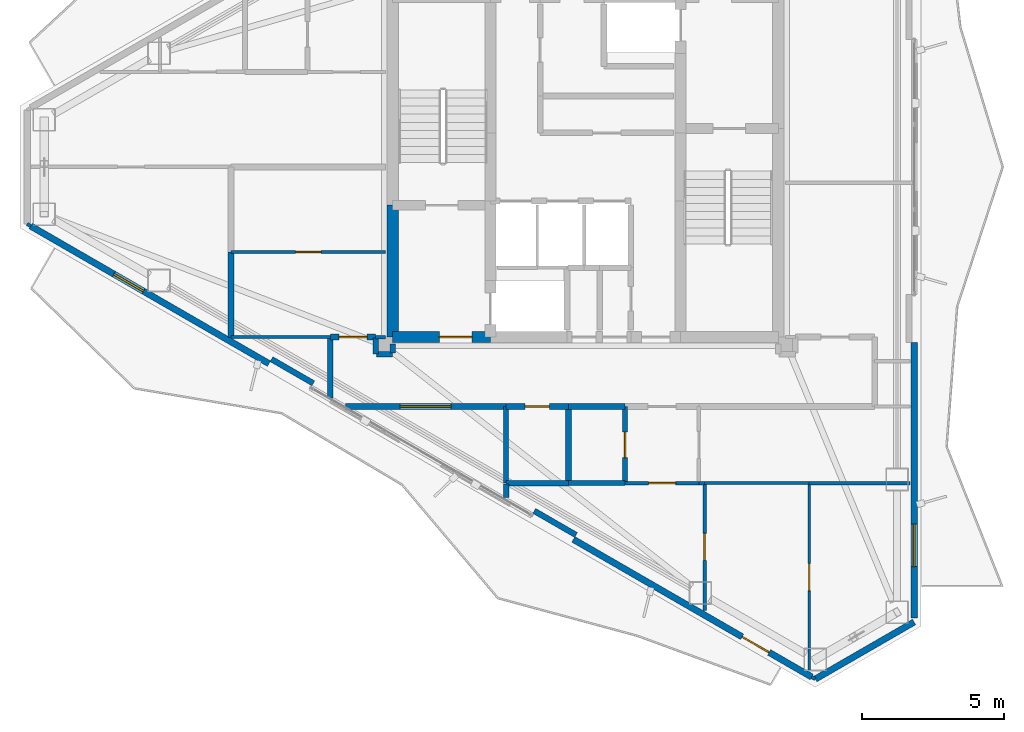
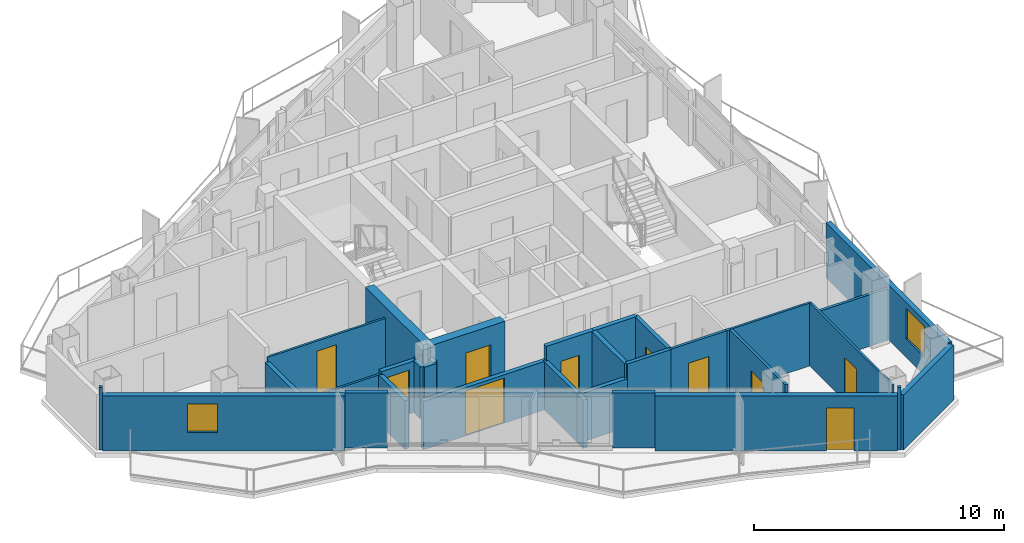
# One storey, part 16 of 22: 34 walls, 10 doors, 2 windows, 12 openings.
"""IFC4 building model written with IfcOpenShell, lengths in metres."""

from ifc_helpers import new_model, si_unit, direction, frame, frame_2d, origin, place, context, subcontext, project, spatial, rectangle, extrude, material, layer, layer_set, type_object, element, fill, save


model = new_model("IFC4")

# Units and contexts
model_context = context("Model", 3, precision=1e-05, world=origin(), true_north=direction((0.0, 1.0)))
body_context = subcontext(model_context, "Body", "Model", "MODEL_VIEW")
ifc_project = project(units=[si_unit("LENGTHUNIT", "METRE"), si_unit("AREAUNIT", "SQUARE_METRE"), si_unit("VOLUMEUNIT", "CUBIC_METRE"), si_unit("PLANEANGLEUNIT", "RADIAN"), si_unit("MASSUNIT", "GRAM", prefix="KILO")], contexts=[model_context])

# Site, building, storey
site_placement = place(None, origin())
site = spatial("IfcSite", under=ifc_project, at=site_placement, CompositionType="ELEMENT")
building_placement = place(site_placement, origin())
building = spatial("IfcBuilding", under=site, at=building_placement, Name="Mersakhor Tower and Convention Hall", CompositionType="ELEMENT")
storey_placement = place(building_placement, frame((0.0, 0.0, 201.89990234375)))
storey = spatial("IfcBuildingStorey", under=building, at=storey_placement, Name="L56", CompositionType="ELEMENT", Elevation=201.89990234375)

# Wall
ifc_material_1 = material(Name="Precast concrete C40/50", Category="concrete")
ifc_layer_1 = layer(ifc_material_1, 0.22509765625)
ifc_layer_set_1 = layer_set([ifc_layer_1], Name="Precast concrete C40/50")
wall_type_1 = type_object("IfcWallType", Name="WL-EXT-225", PredefinedType="SOLIDWALL", material=ifc_layer_set_1)
wall_1_placement = place(storey_placement, frame((40.58837890625, 10.70166015625, 0.0), z_axis=(0.0, 0.0, 1.0), x_axis=(-0.866023907196, -0.500002592159, 0.0)))
element("IfcWall", 1, at=wall_1_placement, inside=storey, type_object=wall_type_1, Name="L56 Chamfer Braced Spandrel Wall C2", PredefinedType="SOLIDWALL", context=body_context, shape_type="SweptSolid", body=[
    extrude(rectangle(XDim=4.0234375, YDim=0.22509765625, at=frame_2d((2.01171875, 0.0))), origin(), (0.0, 0.0, 1.0), 2.690185546875),
])

# Wall, opening, window
wall_2_placement = place(storey_placement, frame((40.58837890625, 20.550537109375, 0.0), z_axis=(0.0, 0.0, 1.0), x_axis=(0.0, -1.0, 0.0)))
wall_2 = element("IfcWall", 2, at=wall_2_placement, inside=storey, type_object=wall_type_1, Name="L56 Exterior Facade Wall F2-B3", PredefinedType="SOLIDWALL", context=body_context, shape_type="SweptSolid", body=[
    extrude(rectangle(XDim=9.698974609375, YDim=0.22509765625, at=frame_2d((4.849609375, 0.0))), origin(), (0.0, 0.0, 1.0), 2.690185546875),
])
opening_1_placement = place(wall_2_placement, frame((6.39501953125, 0.0, 0.89990234375)))
opening_1 = element("IfcOpeningElement", 3, at=opening_1_placement, cuts=wall_2, Name="Opening W-02", PredefinedType="OPENING", context=body_context, shape_type="SweptSolid", body=[
    extrude(rectangle(XDim=1.5, YDim=1.5, at=frame_2d((0.75, 0.75))), frame((0.0, 0.12255859375, 0.0), z_axis=(0.0, -1.0, 0.0), x_axis=(1.0, 0.0, 0.0)), (0.0, 0.0, 1.0), 0.2451171875),
])
ifc_material_2 = material(Name="Dark solar low-E glazed aluminium window", Category="aluminium")
window_type_1 = type_object("IfcWindowType", Name="WN-RES-150x150", PartitioningType="SINGLE_PANEL", PredefinedType="WINDOW", material=ifc_material_2)
window_1_placement = place(opening_1_placement, origin())
window_1 = element("IfcWindow", 4, at=window_1_placement, inside=storey, type_object=window_type_1, Name="L56 Facade Punched Window F2-B3", OverallHeight=1.5, OverallWidth=1.5, PartitioningType="SINGLE_PANEL", PredefinedType="WINDOW", context=body_context, shape_type="SweptSolid", body=[
    extrude(rectangle(XDim=1.5, YDim=1.5, at=frame_2d((0.75, 0.75))), frame((0.0, 0.030029296875, 0.0), z_axis=(0.0, -1.0, 0.0), x_axis=(1.0, 0.0, 0.0)), (0.0, 0.0, 1.0), 0.06005859375),
])
fill(opening_1, window_1)

# Wall, opening, door
wall_3_placement = place(storey_placement, frame((36.97412109375, 8.764892578125, 0.0), z_axis=(0.0, 0.0, 1.0), x_axis=(-0.866016233231, 0.500015883528, 0.0)))
wall_3 = element("IfcWall", 5, at=wall_3_placement, inside=storey, type_object=wall_type_1, Name="L56 Exterior Facade Wall F3-B1", PredefinedType="SOLIDWALL", context=body_context, shape_type="SweptSolid", body=[
    extrude(rectangle(XDim=9.698974609375, YDim=0.22509765625, at=frame_2d((4.849609375, 0.0))), origin(), (0.0, 0.0, 1.0), 2.690185546875),
])
opening_2_placement = place(wall_3_placement, frame((1.72998046875, 0.0, 0.0)))
opening_2 = element("IfcOpeningElement", 6, at=opening_2_placement, cuts=wall_3, Name="Opening BD-02", PredefinedType="OPENING", context=body_context, shape_type="SweptSolid", body=[
    extrude(rectangle(XDim=1.10009765625, YDim=2.10009765625, at=frame_2d((0.550048828125, 1.050048828125))), frame((0.0, 0.12255859375, 0.0), z_axis=(0.0, -1.0, 0.0), x_axis=(1.0, 0.0, 0.0)), (0.0, 0.0, 1.0), 0.2451171875),
])
ifc_material_3 = material(Name="Thermally broken dark aluminium and safety glass", Category="aluminium")
door_type_1 = type_object("IfcDoorType", Name="DR-BAL-110x210", OperationType="NOTDEFINED", PredefinedType="DOOR", material=ifc_material_3)
door_1_placement = place(opening_2_placement, origin())
door_1 = element("IfcDoor", 7, at=door_1_placement, inside=storey, type_object=door_type_1, Name="L56 Balcony Terrace Door F3-B1", OperationType="SINGLE_SWING_RIGHT", OverallHeight=2.10009765625, OverallWidth=1.10009765625, PredefinedType="DOOR", context=body_context, shape_type="SweptSolid", body=[
    extrude(rectangle(XDim=1.10009765625, YDim=2.10009765625, at=frame_2d((0.550048828125, 1.050048828125))), frame((0.0, 0.02490234375, 0.0), z_axis=(0.0, -1.0, 0.0), x_axis=(1.0, 0.0, 0.0)), (0.0, 0.0, 1.0), 0.050048828125),
])
fill(opening_2, door_1)

# Wall, opening, window
wall_4_placement = place(storey_placement, frame((17.8369140625, 19.81396484375, 0.0), z_axis=(0.0, 0.0, 1.0), x_axis=(-0.866027133173, 0.499997004599, 0.0)))
wall_4 = element("IfcWall", 8, at=wall_4_placement, inside=storey, type_object=wall_type_1, Name="L56 Exterior Facade Wall F3-B3", PredefinedType="SOLIDWALL", context=body_context, shape_type="SweptSolid", body=[
    extrude(rectangle(XDim=9.69873046875, YDim=0.22509765625, at=frame_2d((4.849365234375, 0.0))), origin(), (0.0, 0.0, 1.0), 2.690185546875),
])
opening_3_placement = place(wall_4_placement, frame((5.10791015625, 0.0, 0.89990234375)))
opening_3 = element("IfcOpeningElement", 9, at=opening_3_placement, cuts=wall_4, Name="Opening W-01", PredefinedType="OPENING", context=body_context, shape_type="SweptSolid", body=[
    extrude(rectangle(XDim=1.199951171875, YDim=1.39990234375, at=frame_2d((0.60009765625, 0.699951171875))), frame((0.0, 0.12255859375, 0.0), z_axis=(0.0, -1.0, 0.0), x_axis=(1.0, 0.0, 0.0)), (0.0, 0.0, 1.0), 0.2451171875),
])
ifc_material_4 = material(Name="Dark solar low-E glazed aluminium window", Category="aluminium")
window_type_2 = type_object("IfcWindowType", Name="WN-RES-120x150", PartitioningType="SINGLE_PANEL", PredefinedType="WINDOW", material=ifc_material_4)
window_2_placement = place(opening_3_placement, origin())
window_2 = element("IfcWindow", 10, at=window_2_placement, inside=storey, type_object=window_type_2, Name="L56 Bedroom Facade Window F3-B3-1", OverallHeight=1.39990234375, OverallWidth=1.199951171875, PartitioningType="SINGLE_PANEL", PredefinedType="WINDOW", context=body_context, shape_type="SweptSolid", body=[
    extrude(rectangle(XDim=1.199951171875, YDim=1.39990234375, at=frame_2d((0.60009765625, 0.699951171875))), frame((0.0, 0.030029296875, 0.0), z_axis=(0.0, -1.0, 0.0), x_axis=(1.0, 0.0, 0.0)), (0.0, 0.0, 1.0), 0.06005859375),
])
fill(opening_3, window_2)

# Walls
ifc_material_5 = material(Name="Precast concrete C40/50", Category="concrete")
ifc_layer_2 = layer(ifc_material_5, 0.199951171875)
ifc_layer_set_2 = layer_set([ifc_layer_2], Name="Precast concrete C40/50")
wall_type_2 = type_object("IfcWallType", Name="WL-PAR-200", PredefinedType="PARAPET", material=ifc_layer_set_2)
wall_5_placement = place(storey_placement, frame((28.664794921875, 13.770263671875, 0.0), z_axis=(0.0, 0.0, 1.0), x_axis=(-0.866025371046, 0.500000056704, 0.0)))
element("IfcWall", 11, at=wall_5_placement, inside=storey, type_object=wall_type_2, Name="L56 Column Pier Cladding Wall F3-C1", PredefinedType="PARAPET", context=body_context, shape_type="SweptSolid", body=[
    extrude(rectangle(XDim=1.7001953125, YDim=0.199951171875, at=frame_2d((0.85009765625, 0.0))), origin(), (0.0, 0.0, 1.0), 2.690185546875),
])
wall_6_placement = place(storey_placement, frame((19.399169921875, 19.119873046875, 0.0), z_axis=(0.0, 0.0, 1.0), x_axis=(-0.86605165483, 0.499954529098, 0.0)))
element("IfcWall", 12, at=wall_6_placement, inside=storey, type_object=wall_type_2, Name="L56 Column Pier Cladding Wall F3-C2", PredefinedType="PARAPET", context=body_context, shape_type="SweptSolid", body=[
    extrude(rectangle(XDim=1.699951171875, YDim=0.199951171875, at=frame_2d((0.85009765625, 0.0))), origin(), (0.0, 0.0, 1.0), 2.690185546875),
])

# Wall, opening, door
ifc_material_6 = material(Name="Moisture-resistant acoustic drywall studwork", Category="other")
ifc_layer_3 = layer(ifc_material_6, 0.175048828125)
ifc_layer_set_3 = layer_set([ifc_layer_3], Name="Moisture-resistant acoustic drywall studwork")
wall_type_3 = type_object("IfcWallType", Name="WL-PLM-175", PredefinedType="PLUMBINGWALL", material=ifc_layer_set_3)
wall_7_placement = place(storey_placement, frame((30.39990234375, 15.60009765625, 0.0), z_axis=(0.0, 0.0, 1.0), x_axis=(0.0, 1.0, 0.0)))
wall_7 = element("IfcWall", 13, at=wall_7_placement, inside=storey, type_object=wall_type_3, Name="L56 Interior Partition Wall P-054", PredefinedType="PLUMBINGWALL", context=body_context, shape_type="SweptSolid", body=[
    extrude(rectangle(XDim=2.699951171875, YDim=0.175048828125, at=frame_2d((1.35009765625, 0.0))), origin(), (0.0, 0.0, 1.0), 3.070068359375),
])
opening_4_placement = place(wall_7_placement, frame((0.89990234375, 0.0, 0.0)))
opening_4 = element("IfcOpeningElement", 14, at=opening_4_placement, cuts=wall_7, Name="Opening WD-01", PredefinedType="OPENING", context=body_context, shape_type="SweptSolid", body=[
    extrude(rectangle(XDim=0.89990234375, YDim=2.10009765625, at=frame_2d((0.449951171875, 1.050048828125))), frame((0.0, 0.097412109375, 0.0), z_axis=(0.0, -1.0, 0.0), x_axis=(1.0, 0.0, 0.0)), (0.0, 0.0, 1.0), 0.195068359375),
])
ifc_material_7 = material(Name="Solid-core hardwood leaf in painted steel frame", Category="steel")
door_type_2 = type_object("IfcDoorType", Name="DR-INT-WET-090x210", OperationType="NOTDEFINED", PredefinedType="DOOR", material=ifc_material_7)
door_2_placement = place(opening_4_placement, origin())
door_2 = element("IfcDoor", 15, at=door_2_placement, inside=storey, type_object=door_type_2, Name="L56 L56 Flat S3 Apartment Hall to L56 Flat S3 Bathroom Door", OperationType="SINGLE_SWING_LEFT", OverallHeight=2.10009765625, OverallWidth=0.89990234375, PredefinedType="DOOR", context=body_context, shape_type="SweptSolid", body=[
    extrude(rectangle(XDim=0.89990234375, YDim=2.10009765625, at=frame_2d((0.449951171875, 1.050048828125))), frame((0.0, 0.02490234375, 0.0), z_axis=(0.0, -1.0, 0.0), x_axis=(1.0, 0.0, 0.0)), (0.0, 0.0, 1.0), 0.050048828125),
])
fill(opening_4, door_2)

# Walls
wall_8_placement = place(storey_placement, frame((26.199951171875, 15.60009765625, 0.0), z_axis=(0.0, 0.0, 1.0), x_axis=(0.0, 1.0, 0.0)))
element("IfcWall", 16, at=wall_8_placement, inside=storey, type_object=wall_type_3, Name="L56 Interior Partition Wall P-061", PredefinedType="PLUMBINGWALL", context=body_context, shape_type="SweptSolid", body=[
    extrude(rectangle(XDim=2.699951171875, YDim=0.175048828125, at=frame_2d((1.35009765625, 0.0))), origin(), (0.0, 0.0, 1.0), 2.364990234375),
])
wall_9_placement = place(storey_placement, frame((30.39990234375, 15.60009765625, 0.0), z_axis=(0.0, 0.0, 1.0), x_axis=(-1.0, 0.0, 0.0)))
element("IfcWall", 17, at=wall_9_placement, inside=storey, type_object=wall_type_3, Name="L56 Interior Partition Wall P-071", PredefinedType="PLUMBINGWALL", context=body_context, shape_type="SweptSolid", body=[
    extrude(rectangle(XDim=2.0, YDim=0.175048828125, at=frame_2d((1.0, 0.0))), origin(), (0.0, 0.0, 1.0), 3.070068359375),
])
ifc_material_8 = material(Name="Lightweight gypsum partition", Category="other")
ifc_layer_4 = layer(ifc_material_8, 0.10009765625)
ifc_layer_set_4 = layer_set([ifc_layer_4], Name="Lightweight gypsum partition")
wall_type_4 = type_object("IfcWallType", Name="WL-PRT-100", PredefinedType="PARTITIONING", material=ifc_layer_set_4)
wall_10_placement = place(storey_placement, frame((36.889892578125, 15.60009765625, 0.0), z_axis=(0.0, 0.0, 1.0), x_axis=(-1.0, 0.0, 0.0)))
element("IfcWall", 18, at=wall_10_placement, inside=storey, type_object=wall_type_4, Name="L56 Interior Partition Wall P-074", PredefinedType="PARTITIONING", context=body_context, shape_type="SweptSolid", body=[
    extrude(rectangle(XDim=3.68994140625, YDim=0.10009765625, at=frame_2d((1.844970703125, 0.0))), origin(), (0.0, 0.0, 1.0), 3.070068359375),
])
wall_11_placement = place(storey_placement, frame((20.0, 20.75, 0.0), z_axis=(0.0, 0.0, 1.0), x_axis=(-1.0, 0.0, 0.0)))
element("IfcWall", 19, at=wall_11_placement, inside=storey, type_object=wall_type_4, Name="L56 Interior Partition Wall P-086", PredefinedType="PARTITIONING", context=body_context, shape_type="SweptSolid", body=[
    extrude(rectangle(XDim=3.5, YDim=0.10009765625, at=frame_2d((1.75, 0.0))), origin(), (0.0, 0.0, 1.0), 2.364990234375),
])

# Wall, opening, door
wall_12_placement = place(storey_placement, frame((16.5, 23.75, 0.0), z_axis=(0.0, 0.0, 1.0), x_axis=(1.0, 0.0, 0.0)))
wall_12 = element("IfcWall", 20, at=wall_12_placement, inside=storey, type_object=wall_type_4, Name="L56 Interior Partition Wall P-088", PredefinedType="PARTITIONING", context=body_context, shape_type="SweptSolid", body=[
    extrude(rectangle(XDim=5.449951171875, YDim=0.10009765625, at=frame_2d((2.72509765625, 0.0))), origin(), (0.0, 0.0, 1.0), 2.59521484375),
])
opening_5_placement = place(wall_12_placement, frame((2.27490234375, 0.0, 0.0)))
opening_5 = element("IfcOpeningElement", 21, at=opening_5_placement, cuts=wall_12, Name="Opening WD-01", PredefinedType="OPENING", context=body_context, shape_type="SweptSolid", body=[
    extrude(rectangle(XDim=0.89990234375, YDim=2.10009765625, at=frame_2d((0.449951171875, 1.050048828125))), frame((0.0, 0.06005859375, 0.0), z_axis=(0.0, -1.0, 0.0), x_axis=(1.0, 0.0, 0.0)), (0.0, 0.0, 1.0), 0.1201171875),
])
door_3_placement = place(opening_5_placement, origin())
door_3 = element("IfcDoor", 22, at=door_3_placement, inside=storey, type_object=door_type_2, Name="L56 L56 West Wing Quiet Study Room to L56 West Wing Quiet Study Room Annex Door", OperationType="SINGLE_SWING_LEFT", OverallHeight=2.10009765625, OverallWidth=0.89990234375, PredefinedType="DOOR", context=body_context, shape_type="SweptSolid", body=[
    extrude(rectangle(XDim=0.89990234375, YDim=2.10009765625, at=frame_2d((0.449951171875, 1.050048828125))), frame((0.0, 0.02490234375, 0.0), z_axis=(0.0, -1.0, 0.0), x_axis=(1.0, 0.0, 0.0)), (0.0, 0.0, 1.0), 0.050048828125),
])
fill(opening_5, door_3)

wall_13_placement = place(storey_placement, frame((36.889892578125, 15.60009765625, 0.0), z_axis=(0.0, 0.0, 1.0), x_axis=(0.0, -1.0, 0.0)))
wall_13 = element("IfcWall", 23, at=wall_13_placement, inside=storey, type_object=wall_type_4, Name="L56 Interior Partition Wall P-102", PredefinedType="PARTITIONING", context=body_context, shape_type="SweptSolid", body=[
    extrude(rectangle(XDim=6.62890625, YDim=0.10009765625, at=frame_2d((3.314453125, 0.0))), origin(), (0.0, 0.0, 1.0), 3.070068359375),
])
opening_6_placement = place(wall_13_placement, frame((2.83935546875, 0.0, 0.0)))
opening_6 = element("IfcOpeningElement", 24, at=opening_6_placement, cuts=wall_13, Name="Opening RD-01", PredefinedType="OPENING", context=body_context, shape_type="SweptSolid", body=[
    extrude(rectangle(XDim=0.949951171875, YDim=2.10009765625, at=frame_2d((0.47509765625, 1.050048828125))), frame((0.0, 0.06005859375, 0.0), z_axis=(0.0, -1.0, 0.0), x_axis=(1.0, 0.0, 0.0)), (0.0, 0.0, 1.0), 0.1201171875),
])
ifc_material_9 = material(Name="Solid-core hardwood leaf in painted steel frame", Category="steel")
door_type_3 = type_object("IfcDoorType", Name="DR-INT-RM-095x210", OperationType="NOTDEFINED", PredefinedType="DOOR", material=ifc_material_9)
door_4_placement = place(opening_6_placement, origin())
door_4 = element("IfcDoor", 25, at=door_4_placement, inside=storey, type_object=door_type_3, Name="L56 L56 Flat S3 Bedroom 1 to L56 Flat S3 Study Room Door", OperationType="SINGLE_SWING_LEFT", OverallHeight=2.10009765625, OverallWidth=0.949951171875, PredefinedType="DOOR", context=body_context, shape_type="SweptSolid", body=[
    extrude(rectangle(XDim=0.949951171875, YDim=2.10009765625, at=frame_2d((0.47509765625, 1.050048828125))), frame((0.0, 0.02490234375, 0.0), z_axis=(0.0, -1.0, 0.0), x_axis=(1.0, 0.0, 0.0)), (0.0, 0.0, 1.0), 0.050048828125),
])
fill(opening_6, door_4)

ifc_material_10 = material(Name="Gypsum board acoustic partition", Category="other")
ifc_layer_5 = layer(ifc_material_10, 0.125)
ifc_layer_set_5 = layer_set([ifc_layer_5], Name="Gypsum board acoustic partition")
wall_type_5 = type_object("IfcWallType", Name="WL-PRT-125", PredefinedType="PARTITIONING", material=ifc_layer_set_5)
wall_14_placement = place(storey_placement, frame((33.0, 15.60009765625, 0.0), z_axis=(0.0, 0.0, 1.0), x_axis=(-1.0, 0.0, 0.0)))
wall_14 = element("IfcWall", 26, at=wall_14_placement, inside=storey, type_object=wall_type_5, Name="L56 Interior Partition Wall P-053", PredefinedType="PARTITIONING", context=body_context, shape_type="SweptSolid", body=[
    extrude(rectangle(XDim=2.60009765625, YDim=0.125, at=frame_2d((1.300048828125, 0.0))), origin(), (0.0, 0.0, 1.0), 3.070068359375),
])
opening_7_placement = place(wall_14_placement, frame((0.824951171875, 0.0, 0.0)))
opening_7 = element("IfcOpeningElement", 27, at=opening_7_placement, cuts=wall_14, Name="Opening RD-01", PredefinedType="OPENING", context=body_context, shape_type="SweptSolid", body=[
    extrude(rectangle(XDim=0.949951171875, YDim=2.10009765625, at=frame_2d((0.47509765625, 1.050048828125))), frame((0.0, 0.072509765625, 0.0), z_axis=(0.0, -1.0, 0.0), x_axis=(1.0, 0.0, 0.0)), (0.0, 0.0, 1.0), 0.14501953125),
])
door_5_placement = place(opening_7_placement, origin())
door_5 = element("IfcDoor", 28, at=door_5_placement, inside=storey, type_object=door_type_3, Name="L56 L56 Flat S3 Apartment Hall to L56 Flat S3 Living and Dining Room Door", OperationType="SINGLE_SWING_LEFT", OverallHeight=2.10009765625, OverallWidth=0.949951171875, PredefinedType="DOOR", context=body_context, shape_type="SweptSolid", body=[
    extrude(rectangle(XDim=0.949951171875, YDim=2.10009765625, at=frame_2d((0.47509765625, 1.050048828125))), frame((0.0, 0.02490234375, 0.0), z_axis=(0.0, -1.0, 0.0), x_axis=(1.0, 0.0, 0.0)), (0.0, 0.0, 1.0), 0.050048828125),
])
fill(opening_7, door_5)

# Walls
wall_15_placement = place(storey_placement, frame((40.451904296875, 15.60009765625, 0.0), z_axis=(0.0, 0.0, 1.0), x_axis=(-1.0, 0.0, 0.0)))
element("IfcWall", 29, at=wall_15_placement, inside=storey, type_object=wall_type_5, Name="L56 Interior Partition Wall P-073", PredefinedType="PARTITIONING", context=body_context, shape_type="SweptSolid", body=[
    extrude(rectangle(XDim=3.56201171875, YDim=0.125, at=frame_2d((1.781005859375, 0.0))), origin(), (0.0, 0.0, 1.0), 2.518310546875),
])
wall_16_placement = place(storey_placement, frame((33.199951171875, 15.60009765625, 0.0), z_axis=(0.0, 0.0, 1.0), x_axis=(-1.0, 0.0, 0.0)))
element("IfcWall", 30, at=wall_16_placement, inside=storey, type_object=wall_type_5, Name="L56 Interior Partition Wall P-075", PredefinedType="PARTITIONING", context=body_context, shape_type="SweptSolid", body=[
    extrude(rectangle(XDim=0.199951171875, YDim=0.125, at=frame_2d((0.10009765625, 0.0))), origin(), (0.0, 0.0, 1.0), 3.070068359375),
])
wall_17_placement = place(storey_placement, frame((21.949951171875, 20.75, 0.0), z_axis=(0.0, 0.0, 1.0), x_axis=(-1.0, 0.0, 0.0)))
element("IfcWall", 31, at=wall_17_placement, inside=storey, type_object=wall_type_5, Name="L56 Interior Partition Wall P-085", PredefinedType="PARTITIONING", context=body_context, shape_type="SweptSolid", body=[
    extrude(rectangle(XDim=0.349853515625, YDim=0.125, at=frame_2d((0.1748046875, 0.0))), origin(), (0.0, 0.0, 1.0), 2.59521484375),
])

# Wall, opening, door
wall_18_placement = place(storey_placement, frame((33.199951171875, 15.60009765625, 0.0), z_axis=(0.0, 0.0, 1.0), x_axis=(0.0, -1.0, 0.0)))
wall_18 = element("IfcWall", 32, at=wall_18_placement, inside=storey, type_object=wall_type_5, Name="L56 Interior Partition Wall P-101", PredefinedType="PARTITIONING", context=body_context, shape_type="SweptSolid", body=[
    extrude(rectangle(XDim=4.49853515625, YDim=0.125, at=frame_2d((2.249267578125, 0.0))), origin(), (0.0, 0.0, 1.0), 3.070068359375),
])
opening_8_placement = place(wall_18_placement, frame((1.774169921875, 0.0, 0.0)))
opening_8 = element("IfcOpeningElement", 33, at=opening_8_placement, cuts=wall_18, Name="Opening RD-01", PredefinedType="OPENING", context=body_context, shape_type="SweptSolid", body=[
    extrude(rectangle(XDim=0.949951171875, YDim=2.10009765625, at=frame_2d((0.47509765625, 1.050048828125))), frame((0.0, 0.072509765625, 0.0), z_axis=(0.0, -1.0, 0.0), x_axis=(1.0, 0.0, 0.0)), (0.0, 0.0, 1.0), 0.14501953125),
])
door_6_placement = place(opening_8_placement, origin())
door_6 = element("IfcDoor", 34, at=door_6_placement, inside=storey, type_object=door_type_3, Name="L56 L56 Flat S3 Living and Dining Room to L56 Flat S3 Bedroom 1 Door", OperationType="SINGLE_SWING_RIGHT", OverallHeight=2.10009765625, OverallWidth=0.949951171875, PredefinedType="DOOR", context=body_context, shape_type="SweptSolid", body=[
    extrude(rectangle(XDim=0.949951171875, YDim=2.10009765625, at=frame_2d((0.47509765625, 1.050048828125))), frame((0.0, 0.02490234375, 0.0), z_axis=(0.0, -1.0, 0.0), x_axis=(1.0, 0.0, 0.0)), (0.0, 0.0, 1.0), 0.050048828125),
])
fill(opening_8, door_6)

# Walls
wall_19_placement = place(storey_placement, frame((37.10400390625, 8.68994140625, 0.0), z_axis=(0.0, 0.0, 1.0), x_axis=(-0.865017048845, 0.50174246901, 0.0)))
element("IfcWall", 35, at=wall_19_placement, inside=storey, type_object=wall_type_5, Name="L56 Interior Partition Wall P-103", PredefinedType="PARTITIONING", context=body_context, shape_type="SweptSolid", body=[
    extrude(rectangle(XDim=0.14990234375, YDim=0.125, at=frame_2d((0.074951171875, 0.0))), origin(), (0.0, 0.0, 1.0), 3.070068359375),
])
wall_20_placement = place(storey_placement, frame((9.43701171875, 24.662841796875, 0.0), z_axis=(0.0, 0.0, 1.0), x_axis=(-0.865833797362, 0.500331725305, 0.0)))
element("IfcWall", 36, at=wall_20_placement, inside=storey, type_object=wall_type_5, Name="L56 Interior Partition Wall P-107", PredefinedType="PARTITIONING", context=body_context, shape_type="SweptSolid", body=[
    extrude(rectangle(XDim=0.150390625, YDim=0.125, at=frame_2d((0.0751953125, 0.0))), origin(), (0.0, 0.0, 1.0), 3.070068359375),
])

# Wall, opening, door
ifc_material_11 = material(Name="Acoustic concrete blockwork and gypsum board", Category="masonry")
ifc_layer_6 = layer(ifc_material_11, 0.199951171875)
ifc_layer_set_6 = layer_set([ifc_layer_6], Name="Acoustic concrete blockwork and gypsum board")
wall_type_6 = type_object("IfcWallType", Name="WL-PRT-200", PredefinedType="PARTITIONING", material=ifc_layer_set_6)
wall_21_placement = place(storey_placement, frame((20.0, 20.75, 0.0), z_axis=(0.0, 0.0, 1.0), x_axis=(1.0, 0.0, 0.0)))
wall_21 = element("IfcWall", 37, at=wall_21_placement, inside=storey, type_object=wall_type_6, Name="L56 Interior Partition Wall P-034", PredefinedType="PARTITIONING", context=body_context, shape_type="SweptSolid", body=[
    extrude(rectangle(XDim=1.60009765625, YDim=0.199951171875, at=frame_2d((0.800048828125, 0.0))), origin(), (0.0, 0.0, 1.0), 2.518310546875),
])
opening_9_placement = place(wall_21_placement, frame((0.300048828125, 0.0, 0.0)))
opening_9 = element("IfcOpeningElement", 38, at=opening_9_placement, cuts=wall_21, Name="Opening FD-01", PredefinedType="OPENING", context=body_context, shape_type="SweptSolid", body=[
    extrude(rectangle(XDim=1.0, YDim=2.14990234375, at=frame_2d((0.5, 1.074951171875))), frame((0.0, 0.10986328125, 0.0), z_axis=(0.0, -1.0, 0.0), x_axis=(1.0, 0.0, 0.0)), (0.0, 0.0, 1.0), 0.219970703125),
])
ifc_material_12 = material(Name="Fire-rated hardwood leaf and painted steel frame", Category="steel")
door_type_4 = type_object("IfcDoorType", Name="DR-INT-FLT-100x215", OperationType="NOTDEFINED", PredefinedType="DOOR", material=ifc_material_12)
door_7_placement = place(opening_9_placement, origin())
door_7 = element("IfcDoor", 39, at=door_7_placement, inside=storey, type_object=door_type_4, Name="L56 Residential South Gallery Corridor to L56 West Wing Quiet Study Room Door", OperationType="SINGLE_SWING_RIGHT", OverallHeight=2.14990234375, OverallWidth=1.0, PredefinedType="DOOR", context=body_context, shape_type="SweptSolid", body=[
    extrude(rectangle(XDim=1.0, YDim=2.14990234375, at=frame_2d((0.5, 1.074951171875))), frame((0.0, 0.02490234375, 0.0), z_axis=(0.0, -1.0, 0.0), x_axis=(1.0, 0.0, 0.0)), (0.0, 0.0, 1.0), 0.050048828125),
])
fill(opening_9, door_7)

# Walls
for number, where, z_axis, x_axis, name in (
    (40, (21.60009765625, 20.719970703125, 0.0), (0.0, 0.0, 1.0), (0.0, -1.0, 0.0), "L56 Interior Partition Wall P-035"),
    (41, (21.6298828125, 20.14990234375, 0.0), (0.0, 0.0, 1.0), (1.0, 0.0, 0.0), "L56 Interior Partition Wall P-036"),
):
    element("IfcWall", number, at=place(storey_placement, frame(where, z_axis=z_axis, x_axis=x_axis)), inside=storey, type_object=wall_type_6, Name=name, PredefinedType="PARTITIONING", context=body_context, shape_type="SweptSolid", body=[
        extrude(rectangle(XDim=0.570068359375, YDim=0.199951171875, at=frame_2d((0.28515625, 0.0))), origin(), (0.0, 0.0, 1.0), 2.518310546875),
    ])
wall_22_placement = place(storey_placement, frame((22.199951171875, 20.179931640625, 0.0), z_axis=(0.0, 0.0, 1.0), x_axis=(0.0, 1.0, 0.0)))
element("IfcWall", 42, at=wall_22_placement, inside=storey, type_object=wall_type_6, Name="L56 Interior Partition Wall P-037", PredefinedType="PARTITIONING", context=body_context, shape_type="SweptSolid", body=[
    extrude(rectangle(XDim=0.320068359375, YDim=0.199951171875, at=frame_2d((0.16015625, 0.0))), origin(), (0.0, 0.0, 1.0), 2.518310546875),
])
wall_23_placement = place(storey_placement, frame((30.39990234375, 18.300048828125, 0.0), z_axis=(0.0, 0.0, 1.0), x_axis=(-1.0, 0.0, 0.0)))
element("IfcWall", 43, at=wall_23_placement, inside=storey, type_object=wall_type_6, Name="L56 Interior Partition Wall P-046", PredefinedType="PARTITIONING", context=body_context, shape_type="SweptSolid", body=[
    extrude(rectangle(XDim=2.0, YDim=0.199951171875, at=frame_2d((1.0, 0.0))), origin(), (0.0, 0.0, 1.0), 3.070068359375),
])

# Wall, opening, door
wall_24_placement = place(storey_placement, frame((28.39990234375, 18.300048828125, 0.0), z_axis=(0.0, 0.0, 1.0), x_axis=(-1.0, 0.0, 0.0)))
wall_24 = element("IfcWall", 44, at=wall_24_placement, inside=storey, type_object=wall_type_6, Name="L56 Interior Partition Wall P-047", PredefinedType="PARTITIONING", context=body_context, shape_type="SweptSolid", body=[
    extrude(rectangle(XDim=2.199951171875, YDim=0.199951171875, at=frame_2d((1.10009765625, 0.0))), origin(), (0.0, 0.0, 1.0), 3.070068359375),
])
opening_10_placement = place(wall_24_placement, frame((0.675048828125, 0.0, 0.0)))
opening_10 = element("IfcOpeningElement", 45, at=opening_10_placement, cuts=wall_24, Name="Opening SVD-01", PredefinedType="OPENING", context=body_context, shape_type="SweptSolid", body=[
    extrude(rectangle(XDim=0.85009765625, YDim=2.10009765625, at=frame_2d((0.425048828125, 1.050048828125))), frame((0.0, 0.10986328125, 0.0), z_axis=(0.0, -1.0, 0.0), x_axis=(1.0, 0.0, 0.0)), (0.0, 0.0, 1.0), 0.219970703125),
])
ifc_material_13 = material(Name="Fire-rated hardwood leaf and painted steel frame", Category="steel")
door_type_5 = type_object("IfcDoorType", Name="DR-INT-SVC-085x210", OperationType="NOTDEFINED", PredefinedType="DOOR", material=ifc_material_13)
door_8_placement = place(opening_10_placement, origin())
door_8 = element("IfcDoor", 46, at=door_8_placement, inside=storey, type_object=door_type_5, Name="L56 Residential South Gallery Corridor to L56 South Wing Public Toilet WC Door", OperationType="SINGLE_SWING_RIGHT", OverallHeight=2.10009765625, OverallWidth=0.85009765625, PredefinedType="DOOR", context=body_context, shape_type="SweptSolid", body=[
    extrude(rectangle(XDim=0.85009765625, YDim=2.10009765625, at=frame_2d((0.425048828125, 1.050048828125))), frame((0.0, 0.02490234375, 0.0), z_axis=(0.0, -1.0, 0.0), x_axis=(1.0, 0.0, 0.0)), (0.0, 0.0, 1.0), 0.050048828125),
])
fill(opening_10, door_8)

wall_25_placement = place(storey_placement, frame((26.199951171875, 18.300048828125, 0.0), z_axis=(0.0, 0.0, 1.0), x_axis=(-1.0, 0.0, 0.0)))
wall_25 = element("IfcWall", 47, at=wall_25_placement, inside=storey, type_object=wall_type_6, Name="L56 Interior Partition Wall P-048", PredefinedType="PARTITIONING", context=body_context, shape_type="SweptSolid", body=[
    extrude(rectangle(XDim=5.671630859375, YDim=0.199951171875, at=frame_2d((2.8359375, 0.0))), origin(), (0.0, 0.0, 1.0), 2.364990234375),
])
opening_11_placement = place(wall_25_placement, frame((1.935791015625, 0.0, 0.0)))
opening_11 = element("IfcOpeningElement", 48, at=opening_11_placement, cuts=wall_25, Name="Opening HD-01", PredefinedType="OPENING", context=body_context, shape_type="SweptSolid", body=[
    extrude(rectangle(XDim=1.800048828125, YDim=2.199951171875, at=frame_2d((0.89990234375, 1.10009765625))), frame((0.0, 0.10986328125, 0.0), z_axis=(0.0, -1.0, 0.0), x_axis=(1.0, 0.0, 0.0)), (0.0, 0.0, 1.0), 0.219970703125),
])
ifc_material_14 = material(Name="Fire-rated hardwood leaf and painted steel frame", Category="steel")
door_type_6 = type_object("IfcDoorType", Name="DR-INT-HALL-180x220", OperationType="NOTDEFINED", PredefinedType="DOOR", material=ifc_material_14)
door_9_placement = place(opening_11_placement, origin())
door_9 = element("IfcDoor", 49, at=door_9_placement, inside=storey, type_object=door_type_6, Name="L56 Residential South Gallery Corridor to L56 South Wing Residents Reading Library Door", OperationType="DOUBLE_DOOR_SINGLE_SWING", OverallHeight=2.199951171875, OverallWidth=1.800048828125, PredefinedType="DOOR", context=body_context, shape_type="SweptSolid", body=[
    extrude(rectangle(XDim=1.800048828125, YDim=2.199951171875, at=frame_2d((0.89990234375, 1.10009765625))), frame((0.0, 0.02490234375, 0.0), z_axis=(0.0, -1.0, 0.0), x_axis=(1.0, 0.0, 0.0)), (0.0, 0.0, 1.0), 0.050048828125),
])
fill(opening_11, door_9)

# Walls
wall_26_placement = place(storey_placement, frame((20.0, 18.60888671875, 0.0), z_axis=(0.0, 0.0, 1.0), x_axis=(0.0, 1.0, 0.0)))
element("IfcWall", 50, at=wall_26_placement, inside=storey, type_object=wall_type_6, Name="L56 Interior Partition Wall P-049", PredefinedType="PARTITIONING", context=body_context, shape_type="SweptSolid", body=[
    extrude(rectangle(XDim=2.14111328125, YDim=0.199951171875, at=frame_2d((1.070556640625, 0.0))), origin(), (0.0, 0.0, 1.0), 2.364990234375),
])
wall_27_placement = place(storey_placement, frame((28.39990234375, 15.60009765625, 0.0), z_axis=(0.0, 0.0, 1.0), x_axis=(-1.0, 0.0, 0.0)))
element("IfcWall", 51, at=wall_27_placement, inside=storey, type_object=wall_type_6, Name="L56 Interior Partition Wall P-060", PredefinedType="PARTITIONING", context=body_context, shape_type="SweptSolid", body=[
    extrude(rectangle(XDim=2.199951171875, YDim=0.199951171875, at=frame_2d((1.10009765625, 0.0))), origin(), (0.0, 0.0, 1.0), 2.364990234375),
])
wall_28_placement = place(storey_placement, frame((28.39990234375, 18.300048828125, 0.0), z_axis=(0.0, 0.0, 1.0), x_axis=(0.0, -1.0, 0.0)))
element("IfcWall", 52, at=wall_28_placement, inside=storey, type_object=wall_type_6, Name="L56 Interior Partition Wall P-062", PredefinedType="PARTITIONING", context=body_context, shape_type="SweptSolid", body=[
    extrude(rectangle(XDim=2.699951171875, YDim=0.199951171875, at=frame_2d((1.35009765625, 0.0))), origin(), (0.0, 0.0, 1.0), 3.070068359375),
])
wall_29_placement = place(storey_placement, frame((26.199951171875, 15.570068359375, 0.0), z_axis=(0.0, 0.0, 1.0), x_axis=(0.0, -1.0, 0.0)))
element("IfcWall", 53, at=wall_29_placement, inside=storey, type_object=wall_type_6, Name="L56 Interior Partition Wall P-084", PredefinedType="PARTITIONING", context=body_context, shape_type="SweptSolid", body=[
    extrude(rectangle(XDim=0.480712890625, YDim=0.199951171875, at=frame_2d((0.240234375, 0.0))), origin(), (0.0, 0.0, 1.0), 2.364990234375),
])
wall_30_placement = place(storey_placement, frame((16.5, 20.743408203125, 0.0), z_axis=(0.0, 0.0, 1.0), x_axis=(0.0, 1.0, 0.0)))
element("IfcWall", 54, at=wall_30_placement, inside=storey, type_object=wall_type_6, Name="L56 Interior Partition Wall P-087", PredefinedType="PARTITIONING", context=body_context, shape_type="SweptSolid", body=[
    extrude(rectangle(XDim=3.006591796875, YDim=0.199951171875, at=frame_2d((1.50341796875, 0.0))), origin(), (0.0, 0.0, 1.0), 2.364990234375),
])
ifc_material_15 = material(Name="Concrete C60/75", Category="concrete")
ifc_layer_7 = layer(ifc_material_15, 0.39990234375)
ifc_layer_set_7 = layer_set([ifc_layer_7], Name="Concrete C60/75")
wall_type_7 = type_object("IfcWallType", Name="WL-SHR-400", PredefinedType="SHEAR", material=ifc_layer_set_7)
wall_31_placement = place(storey_placement, frame((22.199951171875, 20.75, 0.0), z_axis=(0.0, 0.0, 1.0), x_axis=(0.0, 1.0, 0.0)))
element("IfcWall", 55, at=wall_31_placement, inside=storey, type_object=wall_type_7, Name="L56 Core Wall CW-W1", PredefinedType="SHEAR", context=body_context, shape_type="SweptSolid", body=[
    extrude(rectangle(XDim=4.64990234375, YDim=0.39990234375, at=frame_2d((2.324951171875, 0.0))), origin(), (0.0, 0.0, 1.0), 3.070068359375),
])

# Wall, opening, door
wall_32_placement = place(storey_placement, frame((25.64990234375, 20.75, 0.0), z_axis=(0.0, 0.0, 1.0), x_axis=(-1.0, 0.0, 0.0)))
wall_32 = element("IfcWall", 56, at=wall_32_placement, inside=storey, type_object=wall_type_7, Name="L56 Core Wall CW-S4", PredefinedType="SHEAR", context=body_context, shape_type="SweptSolid", body=[
    extrude(rectangle(XDim=3.449951171875, YDim=0.39990234375, at=frame_2d((1.72509765625, 0.0))), origin(), (0.0, 0.0, 1.0), 3.070068359375),
])
opening_12_placement = place(wall_32_placement, frame((0.64990234375, 0.0, 0.0)))
opening_12 = element("IfcOpeningElement", 57, at=opening_12_placement, cuts=wall_32, Name="Opening SD-01", PredefinedType="OPENING", context=body_context, shape_type="SweptSolid", body=[
    extrude(rectangle(XDim=1.14990234375, YDim=2.14990234375, at=frame_2d((0.574951171875, 1.074951171875))), frame((0.0, 0.2099609375, 0.0), z_axis=(0.0, -1.0, 0.0), x_axis=(1.0, 0.0, 0.0)), (0.0, 0.0, 1.0), 0.419921875),
])
ifc_material_16 = material(Name="Fire-rated hardwood leaf and painted steel frame", Category="steel")
door_type_7 = type_object("IfcDoorType", Name="DR-INT-STAIR-115x215", OperationType="NOTDEFINED", PredefinedType="DOOR", material=ifc_material_16)
door_10_placement = place(opening_12_placement, origin())
door_10 = element("IfcDoor", 58, at=door_10_placement, inside=storey, type_object=door_type_7, Name="L56 Firefighting Lobby West Fire Door", OperationType="SINGLE_SWING_LEFT", OverallHeight=2.14990234375, OverallWidth=1.14990234375, PredefinedType="DOOR", context=body_context, shape_type="SweptSolid", body=[
    extrude(rectangle(XDim=1.14990234375, YDim=2.14990234375, at=frame_2d((0.574951171875, 1.074951171875))), frame((0.0, 0.02490234375, 0.0), z_axis=(0.0, -1.0, 0.0), x_axis=(1.0, 0.0, 0.0)), (0.0, 0.0, 1.0), 0.050048828125),
])
fill(opening_12, door_10)

save(model, "model.ifc")
